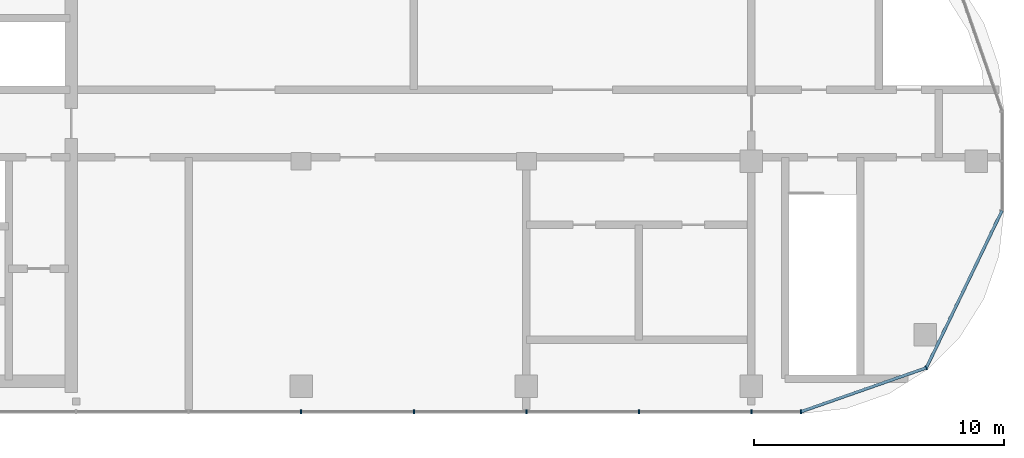
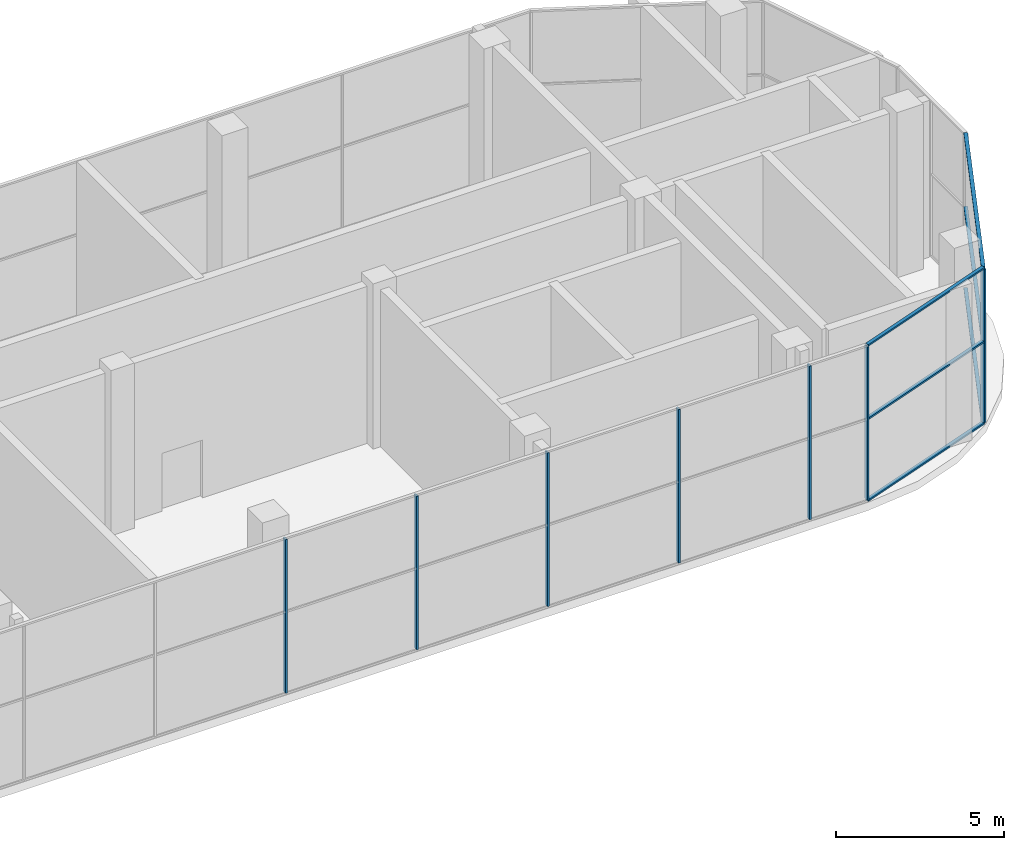
# One storey, part 6 of 21: 13 members, 2 elements without a shape of their own.
"""IFC4 building model written with IfcOpenShell, lengths in metres."""

from ifc_helpers import new_model, si_unit, direction, frame, origin, origin_2d, place, context, subcontext, project, spatial, rectangle, extrude, material, material_profile, profile_set, type_object, element, aggregate, save


model = new_model("IFC4")

# Units and contexts
model_context = context("Model", 3, precision=1e-05, world=origin(), true_north=direction((0.0, 1.0)))
body_context = subcontext(model_context, "Body", "Model", "MODEL_VIEW")
ifc_project = project(units=[si_unit("LENGTHUNIT", "METRE"), si_unit("AREAUNIT", "SQUARE_METRE"), si_unit("VOLUMEUNIT", "CUBIC_METRE"), si_unit("PLANEANGLEUNIT", "RADIAN"), si_unit("MASSUNIT", "GRAM", prefix="KILO")], contexts=[model_context])

# Site, building, storey
site_placement = place(None, origin())
site = spatial("IfcSite", under=ifc_project, at=site_placement, CompositionType="ELEMENT")
building_placement = place(site_placement, origin())
building = spatial("IfcBuilding", under=site, at=building_placement, Name="Ogive Portal Towers", CompositionType="ELEMENT")
storey_placement = place(building_placement, frame((0.0, 0.0, 266.89990234375)))
storey = spatial("IfcBuildingStorey", under=building, at=storey_placement, Name="L65", CompositionType="ELEMENT", Elevation=266.89990234375)

# Curtain wall, members
ifc_material_1 = material(Name="Glass, clear low-iron insulated glazing", Category="glass")
curtain_wall_type = type_object("IfcCurtainWallType", Name="CW OBSERVATION WALL", PredefinedType="NOTDEFINED", material=ifc_material_1)
curtain_wall_1_placement = place(storey_placement, origin())
curtain_wall_1 = element("IfcCurtainWall", 1, at=curtain_wall_1_placement, inside=storey, type_object=curtain_wall_type, Name="A:L65:f05:cw0", PredefinedType="NOTDEFINED")
ifc_material_2 = material(Name="Aluminium 6063 anodised", Category="aluminium")
ifc_material_profile_1 = material_profile(ifc_material_2, rectangle(XDim=0.159912109375, YDim=0.06005859375, at=origin_2d()), Name="AL 60x160")
ifc_profile_set_1 = profile_set([ifc_material_profile_1], Name="Aluminium 6063 anodised")
member_type_1 = type_object("IfcMemberType", Name="CW MULLION 60x160", PredefinedType="MULLION", material=ifc_profile_set_1)
member_1_placement = place(storey_placement, frame((67.5, 20.47998046875, 0.06005859375), z_axis=(0.0, 0.0, 1.0), x_axis=(0.0, 1.0, 0.0)))
member_1 = element("IfcMember", 2, at=member_1_placement, type_object=member_type_1, Name="mullion", PredefinedType="MULLION", context=body_context, shape_type="SweptSolid", body=[
    extrude(rectangle(XDim=0.159912109375, YDim=0.06005859375, at=origin_2d()), origin(), (0.0, 0.0, 1.0), 5.580078125),
])
member_2_placement = place(storey_placement, frame((72.0, 20.47998046875, 0.06005859375), z_axis=(0.0, 0.0, 1.0), x_axis=(0.0, 1.0, 0.0)))
member_2 = element("IfcMember", 3, at=member_2_placement, type_object=member_type_1, Name="mullion", PredefinedType="MULLION", context=body_context, shape_type="SweptSolid", body=[
    extrude(rectangle(XDim=0.159912109375, YDim=0.06005859375, at=origin_2d()), origin(), (0.0, 0.0, 1.0), 5.580078125),
])
member_3_placement = place(storey_placement, frame((76.5, 20.47998046875, 0.06005859375), z_axis=(0.0, 0.0, 1.0), x_axis=(0.0, 1.0, 0.0)))
member_3 = element("IfcMember", 4, at=member_3_placement, type_object=member_type_1, Name="mullion", PredefinedType="MULLION", context=body_context, shape_type="SweptSolid", body=[
    extrude(rectangle(XDim=0.159912109375, YDim=0.06005859375, at=origin_2d()), origin(), (0.0, 0.0, 1.0), 5.580078125),
])
member_4_placement = place(storey_placement, frame((81.0, 20.47998046875, 0.06005859375), z_axis=(0.0, 0.0, 1.0), x_axis=(0.0, 1.0, 0.0)))
member_4 = element("IfcMember", 5, at=member_4_placement, type_object=member_type_1, Name="mullion", PredefinedType="MULLION", context=body_context, shape_type="SweptSolid", body=[
    extrude(rectangle(XDim=0.159912109375, YDim=0.06005859375, at=origin_2d()), origin(), (0.0, 0.0, 1.0), 5.580078125),
])
member_5_placement = place(storey_placement, frame((85.5, 20.47998046875, 0.06005859375), z_axis=(0.0, 0.0, 1.0), x_axis=(0.0, 1.0, 0.0)))
member_5 = element("IfcMember", 6, at=member_5_placement, type_object=member_type_1, Name="mullion", PredefinedType="MULLION", context=body_context, shape_type="SweptSolid", body=[
    extrude(rectangle(XDim=0.159912109375, YDim=0.06005859375, at=origin_2d()), origin(), (0.0, 0.0, 1.0), 5.580078125),
])
member_6_placement = place(storey_placement, frame((87.486328125, 20.47998046875, 0.06005859375), z_axis=(0.0, 0.0, 1.0), x_axis=(0.0, 1.0, 0.0)))
member_6 = element("IfcMember", 7, at=member_6_placement, type_object=member_type_1, Name="mullion", PredefinedType="MULLION", context=body_context, shape_type="SweptSolid", body=[
    extrude(rectangle(XDim=0.159912109375, YDim=0.06005859375, at=origin_2d()), origin(), (0.0, 0.0, 1.0), 5.580078125),
])
aggregate(curtain_wall_1, [member_1, member_2, member_3, member_4, member_5, member_6])

curtain_wall_2_placement = place(storey_placement, origin())
curtain_wall_2 = element("IfcCurtainWall", 8, at=curtain_wall_2_placement, inside=storey, type_object=curtain_wall_type, Name="A:L65:f06:cwa", PredefinedType="NOTDEFINED")
member_7_placement = place(storey_placement, frame((92.49267578125, 22.231689453125, 0.06005859375), z_axis=(0.0, 0.0, 1.0), x_axis=(-0.33027906196, 0.943883330307, 0.0)))
member_7 = element("IfcMember", 9, at=member_7_placement, type_object=member_type_1, Name="mullion", PredefinedType="MULLION", context=body_context, shape_type="SweptSolid", body=[
    extrude(rectangle(XDim=0.159912109375, YDim=0.06005859375, at=origin_2d()), origin(), (0.0, 0.0, 1.0), 5.580078125),
])
ifc_material_profile_2 = material_profile(ifc_material_2, rectangle(XDim=0.1201171875, YDim=0.06005859375, at=origin_2d()), Name="AL 120x60")
ifc_profile_set_2 = profile_set([ifc_material_profile_2], Name="Aluminium 6063 anodised")
member_type_2 = type_object("IfcMemberType", Name="CW TRANSOM 60x120", PredefinedType="USERDEFINED", material=ifc_profile_set_2)
member_8_placement = place(storey_placement, frame((87.486328125, 20.47998046875, 0.030029296875), z_axis=(0.943888492263, 0.330264309567, 0.0), x_axis=(-0.330264309567, 0.943888492263, 0.0)))
member_8 = element("IfcMember", 10, at=member_8_placement, type_object=member_type_2, Name="transom", ObjectType="TRANSOM", PredefinedType="USERDEFINED", context=body_context, shape_type="SweptSolid", body=[
    extrude(rectangle(XDim=0.1201171875, YDim=0.06005859375, at=origin_2d()), origin(), (0.0, 0.0, 1.0), 5.303955078125),
])
member_9_placement = place(storey_placement, frame((87.486328125, 20.47998046875, 3.0), z_axis=(0.943888492263, 0.330264309567, 0.0), x_axis=(-0.330264309567, 0.943888492263, 0.0)))
member_9 = element("IfcMember", 11, at=member_9_placement, type_object=member_type_2, Name="transom", ObjectType="TRANSOM", PredefinedType="USERDEFINED", context=body_context, shape_type="SweptSolid", body=[
    extrude(rectangle(XDim=0.1201171875, YDim=0.06005859375, at=origin_2d()), origin(), (0.0, 0.0, 1.0), 5.303955078125),
])
member_10_placement = place(storey_placement, frame((87.486328125, 20.47998046875, 5.670166015625), z_axis=(0.943888492263, 0.330264309567, 0.0), x_axis=(-0.330264309567, 0.943888492263, 0.0)))
member_10 = element("IfcMember", 12, at=member_10_placement, type_object=member_type_2, Name="transom", ObjectType="TRANSOM", PredefinedType="USERDEFINED", context=body_context, shape_type="SweptSolid", body=[
    extrude(rectangle(XDim=0.1201171875, YDim=0.06005859375, at=origin_2d()), origin(), (0.0, 0.0, 1.0), 5.303955078125),
])
member_11_placement = place(storey_placement, frame((92.49267578125, 22.231689453125, 0.030029296875), z_axis=(0.433868218983, 0.90097634184, 0.0), x_axis=(-0.90097634184, 0.433868218983, 0.0)))
member_11 = element("IfcMember", 13, at=member_11_placement, type_object=member_type_2, Name="transom", ObjectType="TRANSOM", PredefinedType="USERDEFINED", context=body_context, shape_type="SweptSolid", body=[
    extrude(rectangle(XDim=0.1201171875, YDim=0.06005859375, at=origin_2d()), origin(), (0.0, 0.0, 1.0), 6.9775390625),
])
member_12_placement = place(storey_placement, frame((92.49267578125, 22.231689453125, 3.0), z_axis=(0.433868218983, 0.90097634184, 0.0), x_axis=(-0.90097634184, 0.433868218983, 0.0)))
member_12 = element("IfcMember", 14, at=member_12_placement, type_object=member_type_2, Name="transom", ObjectType="TRANSOM", PredefinedType="USERDEFINED", context=body_context, shape_type="SweptSolid", body=[
    extrude(rectangle(XDim=0.1201171875, YDim=0.06005859375, at=origin_2d()), origin(), (0.0, 0.0, 1.0), 6.9775390625),
])
member_13_placement = place(storey_placement, frame((92.49267578125, 22.231689453125, 5.670166015625), z_axis=(0.433868218983, 0.90097634184, 0.0), x_axis=(-0.90097634184, 0.433868218983, 0.0)))
member_13 = element("IfcMember", 15, at=member_13_placement, type_object=member_type_2, Name="transom", ObjectType="TRANSOM", PredefinedType="USERDEFINED", context=body_context, shape_type="SweptSolid", body=[
    extrude(rectangle(XDim=0.1201171875, YDim=0.06005859375, at=origin_2d()), origin(), (0.0, 0.0, 1.0), 6.9775390625),
])
aggregate(curtain_wall_2, [member_8, member_9, member_10, member_11, member_12, member_13, member_7])

save(model, "model.ifc")
